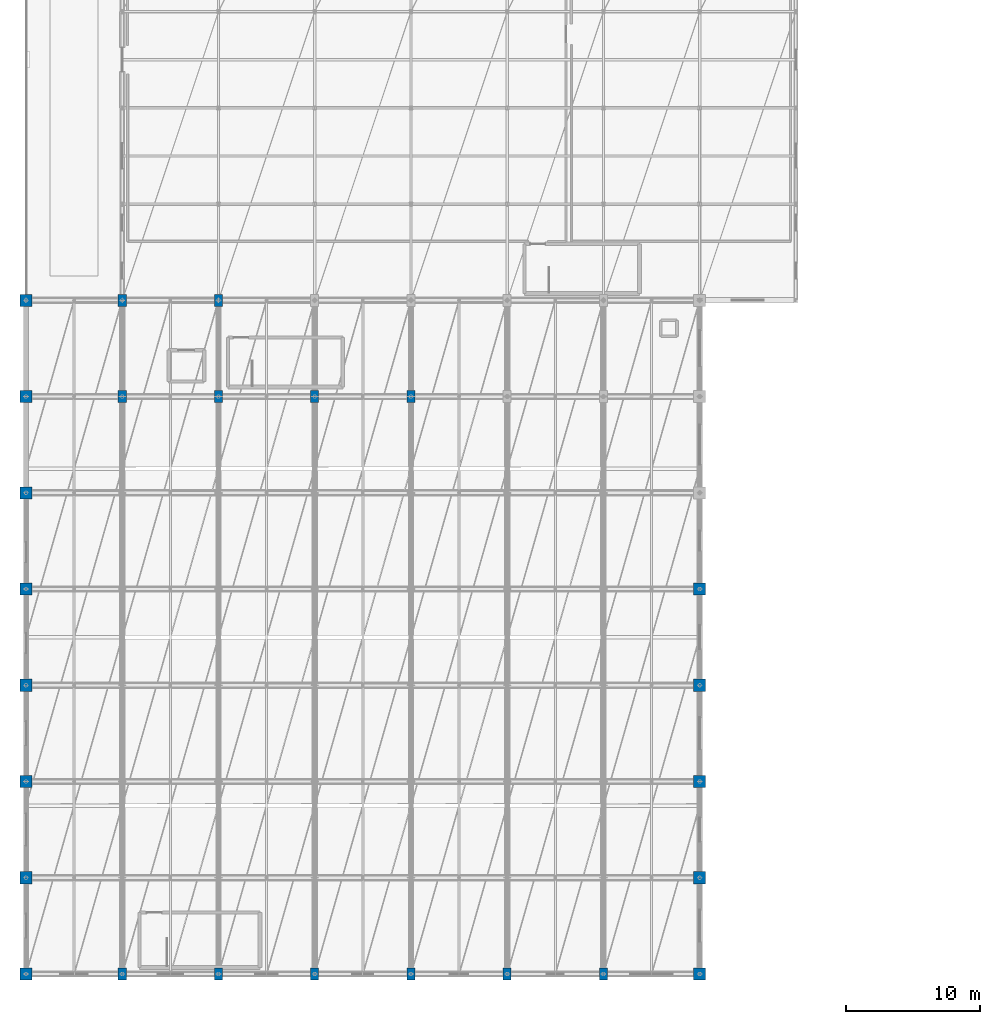
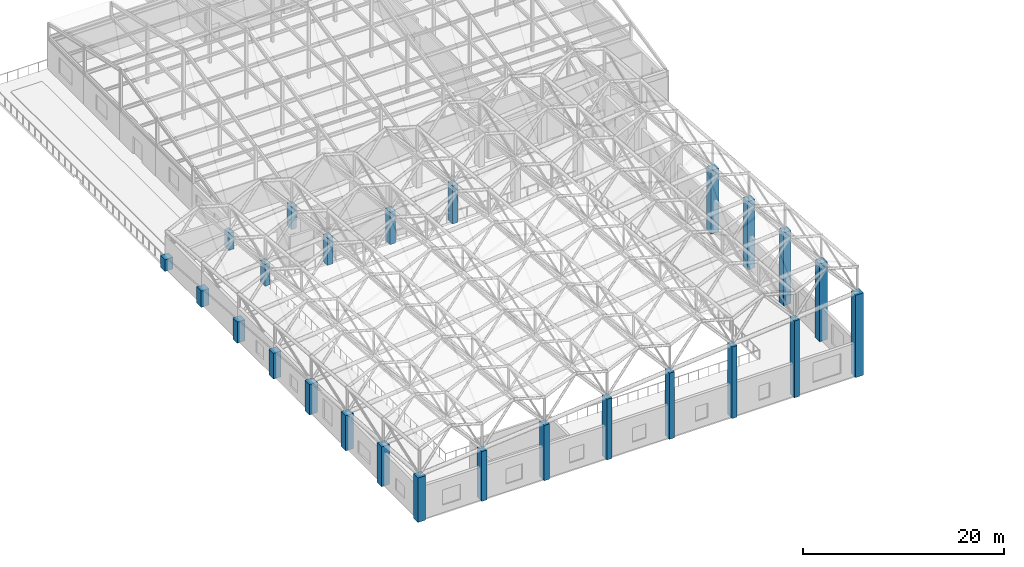
# One storey, part 1 of 113: 25 columns.
"""IFC4 building model written with IfcOpenShell, lengths in metres."""

from ifc_helpers import new_model, si_unit, direction, frame, origin, origin_2d, place, context, subcontext, project, spatial, rectangle, extrude, material, material_profile, profile_set, type_object, element, save


model = new_model("IFC4")

# Units and contexts
model_context = context("Model", 3, precision=1e-05, world=origin(), true_north=direction((0.0, 1.0)))
body_context = subcontext(model_context, "Body", "Model", "MODEL_VIEW")
ifc_project = project(units=[si_unit("LENGTHUNIT", "METRE"), si_unit("AREAUNIT", "SQUARE_METRE"), si_unit("VOLUMEUNIT", "CUBIC_METRE"), si_unit("PLANEANGLEUNIT", "RADIAN"), si_unit("MASSUNIT", "GRAM", prefix="KILO")], contexts=[model_context])

# Site, building, storey
site_placement = place(None, origin())
site = spatial("IfcSite", under=ifc_project, at=site_placement, CompositionType="ELEMENT")
building_placement = place(site_placement, origin())
building = spatial("IfcBuilding", under=site, at=building_placement, Name="Carrowvane Square Congress Hotel", CompositionType="ELEMENT")
storey_placement = place(building_placement, frame((0.0, 0.0, 15.0)))
storey = spatial("IfcBuildingStorey", under=building, at=storey_placement, Name="L03", CompositionType="ELEMENT", Elevation=15.0)

# Columns
ifc_material_1 = material(Name="Concrete C40/50", Category="concrete")
ifc_material_profile_1 = material_profile(ifc_material_1, rectangle(XDim=0.60009765625, YDim=0.89990234375, at=origin_2d()), Name="RC 600x900")
ifc_profile_set_1 = profile_set([ifc_material_profile_1], Name="Concrete C40/50")
column_type_1 = type_object("IfcColumnType", Name="COL-RC-600x900", PredefinedType="COLUMN", material=ifc_profile_set_1)
column_1_placement = place(storey_placement, frame((18.800048828125, 5.39990234375, 0.0), z_axis=(0.0, 0.0, 1.0), x_axis=(1.0, 0.0, 0.0)))
element("IfcColumn", 1, at=column_1_placement, inside=storey, type_object=column_type_1, Name="L03 column 2/A", PredefinedType="COLUMN", context=body_context, shape_type="SweptSolid", body=[
    extrude(rectangle(XDim=0.60009765625, YDim=0.89990234375, at=origin_2d()), origin(), (0.0, 0.0, 1.0), 6.0771484375),
])
column_2_placement = place(storey_placement, frame((18.800048828125, 48.60009765625, 0.0), z_axis=(0.0, 0.0, 1.0), x_axis=(1.0, 0.0, 0.0)))
element("IfcColumn", 2, at=column_2_placement, inside=storey, type_object=column_type_1, Name="L03 column 2/G", PredefinedType="COLUMN", context=body_context, shape_type="SweptSolid", body=[
    extrude(rectangle(XDim=0.60009765625, YDim=0.89990234375, at=origin_2d()), origin(), (0.0, 0.0, 1.0), 2.648681640625),
])
column_3_placement = place(storey_placement, frame((18.800048828125, 55.800048828125, 0.0), z_axis=(0.0, 0.0, 1.0), x_axis=(1.0, 0.0, 0.0)))
element("IfcColumn", 3, at=column_3_placement, inside=storey, type_object=column_type_1, Name="L03 column 2/H", PredefinedType="COLUMN", context=body_context, shape_type="SweptSolid", body=[
    extrude(rectangle(XDim=0.60009765625, YDim=0.89990234375, at=origin_2d()), origin(), (0.0, 0.0, 1.0), 2.0771484375),
])
column_4_placement = place(storey_placement, frame((26.0, 5.39990234375, 0.0), z_axis=(0.0, 0.0, 1.0), x_axis=(1.0, 0.0, 0.0)))
element("IfcColumn", 4, at=column_4_placement, inside=storey, type_object=column_type_1, Name="L03 column 3/A", PredefinedType="COLUMN", context=body_context, shape_type="SweptSolid", body=[
    extrude(rectangle(XDim=0.60009765625, YDim=0.89990234375, at=origin_2d()), origin(), (0.0, 0.0, 1.0), 6.734375),
])
column_5_placement = place(storey_placement, frame((26.0, 48.60009765625, 0.0), z_axis=(0.0, 0.0, 1.0), x_axis=(1.0, 0.0, 0.0)))
element("IfcColumn", 5, at=column_5_placement, inside=storey, type_object=column_type_1, Name="L03 column 3/G", PredefinedType="COLUMN", context=body_context, shape_type="SweptSolid", body=[
    extrude(rectangle(XDim=0.60009765625, YDim=0.89990234375, at=origin_2d()), origin(), (0.0, 0.0, 1.0), 3.3056640625),
])
column_6_placement = place(storey_placement, frame((26.0, 55.800048828125, 0.0), z_axis=(0.0, 0.0, 1.0), x_axis=(1.0, 0.0, 0.0)))
element("IfcColumn", 6, at=column_6_placement, inside=storey, type_object=column_type_1, Name="L03 column 3/H", PredefinedType="COLUMN", context=body_context, shape_type="SweptSolid", body=[
    extrude(rectangle(XDim=0.60009765625, YDim=0.89990234375, at=origin_2d()), origin(), (0.0, 0.0, 1.0), 2.734375),
])
column_7_placement = place(storey_placement, frame((33.199951171875, 5.39990234375, 0.0), z_axis=(0.0, 0.0, 1.0), x_axis=(1.0, 0.0, 0.0)))
element("IfcColumn", 7, at=column_7_placement, inside=storey, type_object=column_type_1, Name="L03 column 4/A", PredefinedType="COLUMN", context=body_context, shape_type="SweptSolid", body=[
    extrude(rectangle(XDim=0.60009765625, YDim=0.89990234375, at=origin_2d()), origin(), (0.0, 0.0, 1.0), 7.391357421875),
])
column_8_placement = place(storey_placement, frame((33.199951171875, 48.60009765625, 0.0), z_axis=(0.0, 0.0, 1.0), x_axis=(1.0, 0.0, 0.0)))
element("IfcColumn", 8, at=column_8_placement, inside=storey, type_object=column_type_1, Name="L03 column 4/G", PredefinedType="COLUMN", context=body_context, shape_type="SweptSolid", body=[
    extrude(rectangle(XDim=0.60009765625, YDim=0.89990234375, at=origin_2d()), origin(), (0.0, 0.0, 1.0), 3.962890625),
])
column_9_placement = place(storey_placement, frame((40.39990234375, 5.39990234375, 0.0), z_axis=(0.0, 0.0, 1.0), x_axis=(1.0, 0.0, 0.0)))
element("IfcColumn", 9, at=column_9_placement, inside=storey, type_object=column_type_1, Name="L03 column 5/A", PredefinedType="COLUMN", context=body_context, shape_type="SweptSolid", body=[
    extrude(rectangle(XDim=0.60009765625, YDim=0.89990234375, at=origin_2d()), origin(), (0.0, 0.0, 1.0), 8.048583984375),
])
column_10_placement = place(storey_placement, frame((40.39990234375, 48.60009765625, 0.0), z_axis=(0.0, 0.0, 1.0), x_axis=(1.0, 0.0, 0.0)))
element("IfcColumn", 10, at=column_10_placement, inside=storey, type_object=column_type_1, Name="L03 column 5/G", PredefinedType="COLUMN", context=body_context, shape_type="SweptSolid", body=[
    extrude(rectangle(XDim=0.60009765625, YDim=0.89990234375, at=origin_2d()), origin(), (0.0, 0.0, 1.0), 4.6201171875),
])
column_11_placement = place(storey_placement, frame((47.60009765625, 5.39990234375, 0.0), z_axis=(0.0, 0.0, 1.0), x_axis=(1.0, 0.0, 0.0)))
element("IfcColumn", 11, at=column_11_placement, inside=storey, type_object=column_type_1, Name="L03 column 6/A", PredefinedType="COLUMN", context=body_context, shape_type="SweptSolid", body=[
    extrude(rectangle(XDim=0.60009765625, YDim=0.89990234375, at=origin_2d()), origin(), (0.0, 0.0, 1.0), 8.705810546875),
])
column_12_placement = place(storey_placement, frame((54.800048828125, 5.39990234375, 0.0), z_axis=(0.0, 0.0, 1.0), x_axis=(1.0, 0.0, 0.0)))
element("IfcColumn", 12, at=column_12_placement, inside=storey, type_object=column_type_1, Name="L03 column 7/A", PredefinedType="COLUMN", context=body_context, shape_type="SweptSolid", body=[
    extrude(rectangle(XDim=0.60009765625, YDim=0.89990234375, at=origin_2d()), origin(), (0.0, 0.0, 1.0), 9.36279296875),
])
ifc_material_2 = material(Name="Concrete C40/50", Category="concrete")
ifc_material_profile_2 = material_profile(ifc_material_2, rectangle(XDim=0.89990234375, YDim=0.89990234375, at=origin_2d()), Name="RC 900x900")
ifc_profile_set_2 = profile_set([ifc_material_profile_2], Name="Concrete C40/50")
column_type_2 = type_object("IfcColumnType", Name="MCOL-RC-900", PredefinedType="COLUMN", material=ifc_profile_set_2)
column_13_placement = place(storey_placement, frame((11.60009765625, 5.39990234375, 0.0), z_axis=(0.0, 0.0, 1.0), x_axis=(1.0, 0.0, 0.0)))
element("IfcColumn", 13, at=column_13_placement, inside=storey, type_object=column_type_2, Name="L03 column 1/A", PredefinedType="COLUMN", context=body_context, shape_type="SweptSolid", body=[
    extrude(rectangle(XDim=0.89990234375, YDim=0.89990234375, at=origin_2d()), origin(), (0.0, 0.0, 1.0), 5.419921875),
])
column_14_placement = place(storey_placement, frame((11.60009765625, 12.60009765625, 0.0), z_axis=(0.0, 0.0, 1.0), x_axis=(1.0, 0.0, 0.0)))
element("IfcColumn", 14, at=column_14_placement, inside=storey, type_object=column_type_2, Name="L03 column 1/B", PredefinedType="COLUMN", context=body_context, shape_type="SweptSolid", body=[
    extrude(rectangle(XDim=0.89990234375, YDim=0.89990234375, at=origin_2d()), origin(), (0.0, 0.0, 1.0), 4.8486328125),
])
column_15_placement = place(storey_placement, frame((11.60009765625, 19.800048828125, 0.0), z_axis=(0.0, 0.0, 1.0), x_axis=(1.0, 0.0, 0.0)))
element("IfcColumn", 15, at=column_15_placement, inside=storey, type_object=column_type_2, Name="L03 column 1/C", PredefinedType="COLUMN", context=body_context, shape_type="SweptSolid", body=[
    extrude(rectangle(XDim=0.89990234375, YDim=0.89990234375, at=origin_2d()), origin(), (0.0, 0.0, 1.0), 4.277099609375),
])
column_16_placement = place(storey_placement, frame((11.60009765625, 27.0, 0.0), z_axis=(0.0, 0.0, 1.0), x_axis=(1.0, 0.0, 0.0)))
element("IfcColumn", 16, at=column_16_placement, inside=storey, type_object=column_type_2, Name="L03 column 1/D", PredefinedType="COLUMN", context=body_context, shape_type="SweptSolid", body=[
    extrude(rectangle(XDim=0.89990234375, YDim=0.89990234375, at=origin_2d()), origin(), (0.0, 0.0, 1.0), 3.705810546875),
])
column_17_placement = place(storey_placement, frame((11.60009765625, 34.199951171875, 0.0), z_axis=(0.0, 0.0, 1.0), x_axis=(1.0, 0.0, 0.0)))
element("IfcColumn", 17, at=column_17_placement, inside=storey, type_object=column_type_2, Name="L03 column 1/E", PredefinedType="COLUMN", context=body_context, shape_type="SweptSolid", body=[
    extrude(rectangle(XDim=0.89990234375, YDim=0.89990234375, at=origin_2d()), origin(), (0.0, 0.0, 1.0), 3.13427734375),
])
column_18_placement = place(storey_placement, frame((11.60009765625, 41.39990234375, 0.0), z_axis=(0.0, 0.0, 1.0), x_axis=(1.0, 0.0, 0.0)))
element("IfcColumn", 18, at=column_18_placement, inside=storey, type_object=column_type_2, Name="L03 column 1/F", PredefinedType="COLUMN", context=body_context, shape_type="SweptSolid", body=[
    extrude(rectangle(XDim=0.89990234375, YDim=0.89990234375, at=origin_2d()), origin(), (0.0, 0.0, 1.0), 2.56298828125),
])
column_19_placement = place(storey_placement, frame((11.60009765625, 48.60009765625, 0.0), z_axis=(0.0, 0.0, 1.0), x_axis=(1.0, 0.0, 0.0)))
element("IfcColumn", 19, at=column_19_placement, inside=storey, type_object=column_type_2, Name="L03 column 1/G", PredefinedType="COLUMN", context=body_context, shape_type="SweptSolid", body=[
    extrude(rectangle(XDim=0.89990234375, YDim=0.89990234375, at=origin_2d()), origin(), (0.0, 0.0, 1.0), 1.991455078125),
])
column_20_placement = place(storey_placement, frame((11.60009765625, 55.800048828125, 0.0), z_axis=(0.0, 0.0, 1.0), x_axis=(1.0, 0.0, 0.0)))
element("IfcColumn", 20, at=column_20_placement, inside=storey, type_object=column_type_2, Name="L03 column 1/H", PredefinedType="COLUMN", context=body_context, shape_type="SweptSolid", body=[
    extrude(rectangle(XDim=0.89990234375, YDim=0.89990234375, at=origin_2d()), origin(), (0.0, 0.0, 1.0), 1.419921875),
])
column_21_placement = place(storey_placement, frame((62.0, 5.39990234375, 0.0), z_axis=(0.0, 0.0, 1.0), x_axis=(1.0, 0.0, 0.0)))
element("IfcColumn", 21, at=column_21_placement, inside=storey, type_object=column_type_2, Name="L03 column 8/A", PredefinedType="COLUMN", context=body_context, shape_type="SweptSolid", body=[
    extrude(rectangle(XDim=0.89990234375, YDim=0.89990234375, at=origin_2d()), origin(), (0.0, 0.0, 1.0), 10.02001953125),
])
column_22_placement = place(storey_placement, frame((62.0, 12.60009765625, 0.0), z_axis=(0.0, 0.0, 1.0), x_axis=(1.0, 0.0, 0.0)))
element("IfcColumn", 22, at=column_22_placement, inside=storey, type_object=column_type_2, Name="L03 column 8/B", PredefinedType="COLUMN", context=body_context, shape_type="SweptSolid", body=[
    extrude(rectangle(XDim=0.89990234375, YDim=0.89990234375, at=origin_2d()), origin(), (0.0, 0.0, 1.0), 9.448486328125),
])
column_23_placement = place(storey_placement, frame((62.0, 19.800048828125, 0.0), z_axis=(0.0, 0.0, 1.0), x_axis=(1.0, 0.0, 0.0)))
element("IfcColumn", 23, at=column_23_placement, inside=storey, type_object=column_type_2, Name="L03 column 8/C", PredefinedType="COLUMN", context=body_context, shape_type="SweptSolid", body=[
    extrude(rectangle(XDim=0.89990234375, YDim=0.89990234375, at=origin_2d()), origin(), (0.0, 0.0, 1.0), 8.877197265625),
])
column_24_placement = place(storey_placement, frame((62.0, 27.0, 0.0), z_axis=(0.0, 0.0, 1.0), x_axis=(1.0, 0.0, 0.0)))
element("IfcColumn", 24, at=column_24_placement, inside=storey, type_object=column_type_2, Name="L03 column 8/D", PredefinedType="COLUMN", context=body_context, shape_type="SweptSolid", body=[
    extrude(rectangle(XDim=0.89990234375, YDim=0.89990234375, at=origin_2d()), origin(), (0.0, 0.0, 1.0), 8.3056640625),
])
column_25_placement = place(storey_placement, frame((62.0, 34.199951171875, 0.0), z_axis=(0.0, 0.0, 1.0), x_axis=(1.0, 0.0, 0.0)))
element("IfcColumn", 25, at=column_25_placement, inside=storey, type_object=column_type_2, Name="L03 column 8/E", PredefinedType="COLUMN", context=body_context, shape_type="SweptSolid", body=[
    extrude(rectangle(XDim=0.89990234375, YDim=0.89990234375, at=origin_2d()), origin(), (0.0, 0.0, 1.0), 7.734375),
])

save(model, "model.ifc")
